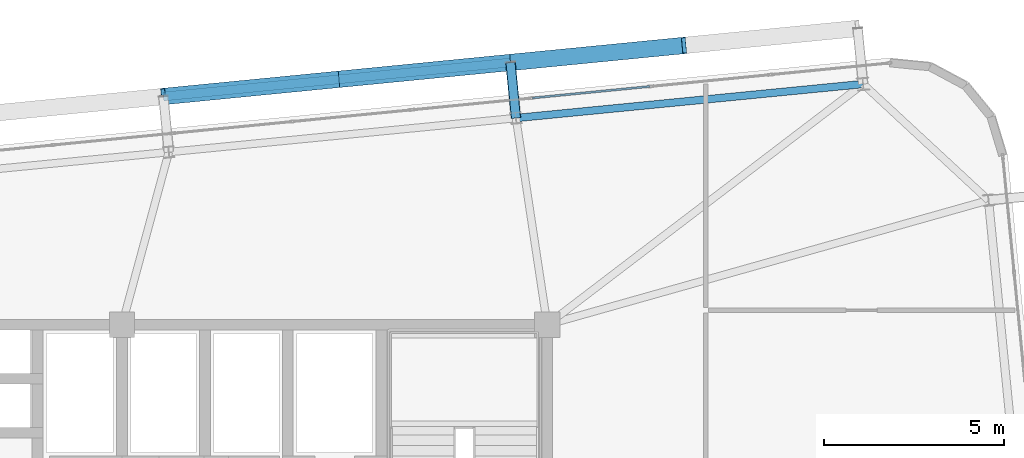
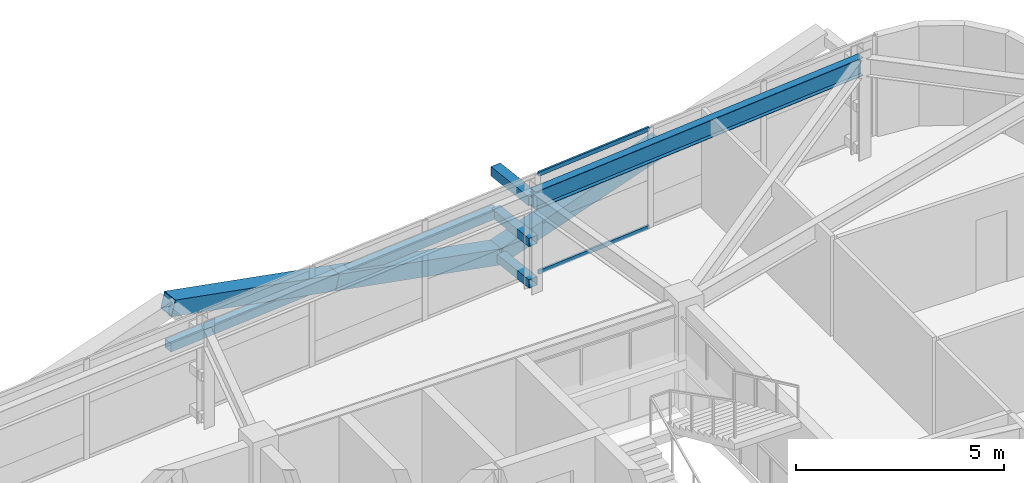
# One storey, part 32 of 53: 9 members, 1 beam, 1 element without a shape of its own.
"""IFC4 building model written with IfcOpenShell, lengths in metres."""

from ifc_helpers import new_model, si_unit, direction, frame, origin, origin_2d, place, context, subcontext, project, spatial, hollow_rectangle, i_section, extrude, source, transform, mapped, material, layer, layer_set, material_profile, profile_set, type_object, element, aggregate, save


model = new_model("IFC4")

# Units and contexts
model_context = context("Model", 3, precision=1e-05, world=origin(), true_north=direction((0.0, 1.0)))
body_context = subcontext(model_context, "Body", "Model", "MODEL_VIEW")
ifc_project = project(units=[si_unit("LENGTHUNIT", "METRE"), si_unit("AREAUNIT", "SQUARE_METRE"), si_unit("VOLUMEUNIT", "CUBIC_METRE"), si_unit("PLANEANGLEUNIT", "RADIAN"), si_unit("MASSUNIT", "GRAM", prefix="KILO")], contexts=[model_context])

# Site, building, storey
site_placement = place(None, origin())
site = spatial("IfcSite", under=ifc_project, at=site_placement, CompositionType="ELEMENT")
building_placement = place(site_placement, origin())
building = spatial("IfcBuilding", under=site, at=building_placement, Name="Taldren Reach Tower", CompositionType="ELEMENT")
storey_placement = place(building_placement, frame((0.0, 0.0, 68.25)))
storey = spatial("IfcBuildingStorey", under=building, at=storey_placement, Name="L20", CompositionType="ELEMENT", Elevation=68.25)

# Members
ifc_material_1 = material(Name="Steel Gr 450 (C450L0)", Category="steel")
ifc_material_profile_1 = material_profile(ifc_material_1, hollow_rectangle(XDim=0.27490234375, YDim=0.27490234375, WallThickness=0.00927734375, at=origin_2d()), Name="275x275x9.3SHS")
ifc_profile_set_1 = profile_set([ifc_material_profile_1], Name="Steel Gr 450 (C450L0)")
member_type_1 = type_object("IfcMemberType", Name="MB-TIE273", PredefinedType="STRUT", material=ifc_profile_set_1)
shared_shape_1 = source(origin(), body_context, "Body", "SweptSolid", [
    extrude(hollow_rectangle(XDim=0.27490234375, YDim=0.27490234375, WallThickness=0.00927734375, at=origin_2d()), origin(), (0.0, 0.0, 1.0), 1.5498046875),
])
member_1_placement = place(storey_placement, frame((50.132080078125, 37.7353515625, 2.64990234375), z_axis=(-0.097663201064, 0.995219523099, 0.0), x_axis=(-0.995219523099, -0.097663201064, 0.0)))
element("IfcMember", 1, at=member_1_placement, inside=storey, type_object=member_type_1, Name="Exoskeleton diaphragm tie strut B2-N5 L20", PredefinedType="STRUT", context=body_context, shape_type="MappedRepresentation", body=[
    mapped(shared_shape_1, transform((0.0, 0.0, 0.0), scale=1.0)),
])
ifc_material_2 = material(Name="Steel Gr 350 (C350L0)", Category="steel")
ifc_material_profile_2 = material_profile(ifc_material_2, hollow_rectangle(XDim=0.25, YDim=0.25, WallThickness=0.010009765625, at=origin_2d()), Name="250x250x10.0SHS")
ifc_profile_set_2 = profile_set([ifc_material_profile_2], Name="Steel Gr 350 (C350L0)")
member_type_2 = type_object("IfcMemberType", Name="MB-POST250", PredefinedType="POST", material=ifc_profile_set_2)
shared_shape_2 = source(origin(), body_context, "Body", "SweptSolid", [
    extrude(hollow_rectangle(XDim=0.25, YDim=0.25, WallThickness=0.010009765625, at=origin_2d()), origin(), (0.0, 0.0, 1.0), 1.5498046875),
])
for number, where, z_axis, x_axis, name in (
    (2, (50.132080078125, 37.7353515625, 0.219970703125), (-0.097663201064, 0.995219523099, 0.0), (-0.995219523099, -0.097663201064, 0.0), "Exoskeleton base diaphragm tie strut B2-N5 L20"),
    (3, (50.132080078125, 37.7353515625, 1.43505859375), (-0.097663201064, 0.995219523099, 0.0), (-0.995219523099, -0.097663201064, 0.0), "Exoskeleton mid-tier diaphragm tie B2-N5 L20"),
):
    element("IfcMember", number, at=place(storey_placement, frame(where, z_axis=z_axis, x_axis=x_axis)), inside=storey, type_object=member_type_2, Name=name, PredefinedType="POST", context=body_context, shape_type="MappedRepresentation", body=[
        mapped(shared_shape_2, transform((0.0, 0.0, 0.0), scale=1.0)),
    ])

# Beam
ifc_material_3 = material(Name="Steel Gr 350 (350PLUS)", Category="steel")
ifc_material_profile_3 = material_profile(ifc_material_3, i_section(OverallWidth=0.208984375, OverallDepth=0.528076171875, WebThickness=0.009521484375, FlangeThickness=0.01318359375, at=origin_2d()), Name="530UB82.0")
ifc_profile_set_3 = profile_set([ifc_material_profile_3], Name="Steel Gr 350 (350PLUS)")
beam_type = type_object("IfcBeamType", Name="SP-UB530B", PredefinedType="SPANDREL", material=ifc_profile_set_3)
shared_shape_3 = source(origin(), body_context, "Body", "SweptSolid", [
    extrude(i_section(OverallWidth=0.208984375, OverallDepth=0.528076171875, WebThickness=0.009521484375, FlangeThickness=0.01318359375, at=origin_2d()), origin(), (0.0, 0.0, 1.0), 9.679931640625),
])
beam_placement = place(storey_placement, frame((59.765869140625, 38.679931640625, 2.666015625), z_axis=(-0.995227612658, -0.097580730699, 0.0), x_axis=(0.097580730699, -0.995227612658, 0.0)))
element("IfcBeam", 4, at=beam_placement, inside=storey, type_object=beam_type, Name="Perimeter spandrel B2 N6-N5 L20", PredefinedType="SPANDREL", context=body_context, shape_type="MappedRepresentation", body=[
    mapped(shared_shape_3, transform((0.0, 0.0, 0.0), scale=1.0)),
])

# Members
ifc_material_profile_4 = material_profile(ifc_material_1, hollow_rectangle(XDim=0.4599609375, YDim=0.4599609375, WallThickness=0.01611328125, at=origin_2d()), Name="460x460x16.0SHS")
ifc_profile_set_4 = profile_set([ifc_material_profile_4], Name="Steel Gr 450 (C450L0)")
member_type_3 = type_object("IfcMemberType", Name="MB-EXO457", PredefinedType="BRACE", material=ifc_profile_set_4)
shared_shape_4 = source(origin(), body_context, "Body", "SweptSolid", [
    extrude(hollow_rectangle(XDim=0.4599609375, YDim=0.4599609375, WallThickness=0.01611328125, at=origin_2d()), origin(), (0.0, 0.0, 1.0), 4.990234375),
])
for number, where, z_axis, x_axis, name in (
    (5, (49.980712890625, 39.27783203125, 0.219970703125), (-0.965275526283, -0.094619506732, 0.243496010862), (0.097555749586, -0.995230061706, 0.0), "Exoskeleton Diagrid Brace B2-N4 L20"),
    (6, (45.163818359375, 38.8056640625, 1.43505859375), (-0.965282554799, -0.094669120301, 0.243448859234), (0.097605711627, -0.995225162995, 0.0), "Exoskeleton Diagrid Brace B2-N4 L20"),
    (7, (49.980712890625, 39.27783203125, 0.219970703125), (0.965271056716, 0.094667992638, 0.243494883389), (-0.097605711627, 0.995225162995, 0.0), "Exoskeleton Diagrid Brace B2-N5 L20"),
):
    element("IfcMember", number, at=place(storey_placement, frame(where, z_axis=z_axis, x_axis=x_axis)), inside=storey, type_object=member_type_3, Name=name, PredefinedType="BRACE", context=body_context, shape_type="MappedRepresentation", body=[
        mapped(shared_shape_4, transform((0.0, 0.0, 0.0), scale=1.0)),
    ])
shared_shape_5 = source(origin(), body_context, "Body", "SweptSolid", [
    extrude(hollow_rectangle(XDim=0.25, YDim=0.25, WallThickness=0.010009765625, at=origin_2d()), origin(), (0.0, 0.0, 1.0), 9.679931640625),
])
member_2_placement = place(storey_placement, frame((40.346923828125, 38.333251953125, 1.43505859375), z_axis=(0.995227612658, 0.097580730699, 0.0), x_axis=(-0.097580730699, 0.995227612658, 0.0)))
element("IfcMember", 8, at=member_2_placement, inside=storey, type_object=member_type_2, Name="Exoskeleton mid-height ring chord B2-N4 L20", PredefinedType="POST", context=body_context, shape_type="MappedRepresentation", body=[
    mapped(shared_shape_5, transform((0.0, 0.0, 0.0), scale=1.0)),
])

# Curtain wall, members
ifc_material_4 = material(Name="Aluminium and Low-E Glass Unitised System", Category="aluminium")
ifc_layer = layer(ifc_material_4, 0.159912109375)
ifc_layer_set = layer_set([ifc_layer], Name="Aluminium and Low-E Glass Unitised System")
curtain_wall_type = type_object("IfcCurtainWallType", Name="CW-SYS-3", PredefinedType="NOTDEFINED", material=ifc_layer_set)
curtain_wall_placement = place(storey_placement, origin())
curtain_wall = element("IfcCurtainWall", 9, at=curtain_wall_placement, inside=storey, type_object=curtain_wall_type, Name="Unitised curtain wall CW-L20-N", PredefinedType="NOTDEFINED")
ifc_material_5 = material(Name="Anodised Aluminium 6063-T6", Category="aluminium")
ifc_material_profile_5 = material_profile(ifc_material_5, hollow_rectangle(XDim=0.054931640625, YDim=0.1201171875, WallThickness=0.0029296875, at=origin_2d()), Name="ALU-120x55x3RHS")
ifc_profile_set_5 = profile_set([ifc_material_profile_5], Name="Anodised Aluminium 6063-T6")
member_type_4 = type_object("IfcMemberType", Name="CW-TRN-135", PredefinedType="USERDEFINED", material=ifc_profile_set_5)
shared_shape_6 = source(origin(), body_context, "Body", "SweptSolid", [
    extrude(hollow_rectangle(XDim=0.054931640625, YDim=0.1201171875, WallThickness=0.0029296875, at=origin_2d()), origin(), (0.0, 0.0, 1.0), 3.268310546875),
])
member_3_placement = place(storey_placement, frame((53.844970703125, 38.61181640625, 0.027587890625), z_axis=(-0.99522980512, -0.097558367146, 0.0), x_axis=(0.097558367146, -0.99522980512, 0.0)))
member_3 = element("IfcMember", 10, at=member_3_placement, type_object=member_type_4, Name="CW-3 transom 3.1", ObjectType="TRANSOM", PredefinedType="USERDEFINED", context=body_context, shape_type="MappedRepresentation", body=[
    mapped(shared_shape_6, transform((0.0, 0.0, 0.0), scale=1.0)),
])
member_4_placement = place(storey_placement, frame((53.844970703125, 38.61181640625, 2.902587890625), z_axis=(-0.99522980512, -0.097558367146, 0.0), x_axis=(0.097558367146, -0.99522980512, 0.0)))
member_4 = element("IfcMember", 11, at=member_4_placement, type_object=member_type_4, Name="CW-3 transom 3.2", ObjectType="TRANSOM", PredefinedType="USERDEFINED", context=body_context, shape_type="MappedRepresentation", body=[
    mapped(shared_shape_6, transform((0.0, 0.0, 0.0), scale=1.0)),
])
aggregate(curtain_wall, [member_3, member_4])

save(model, "model.ifc")
